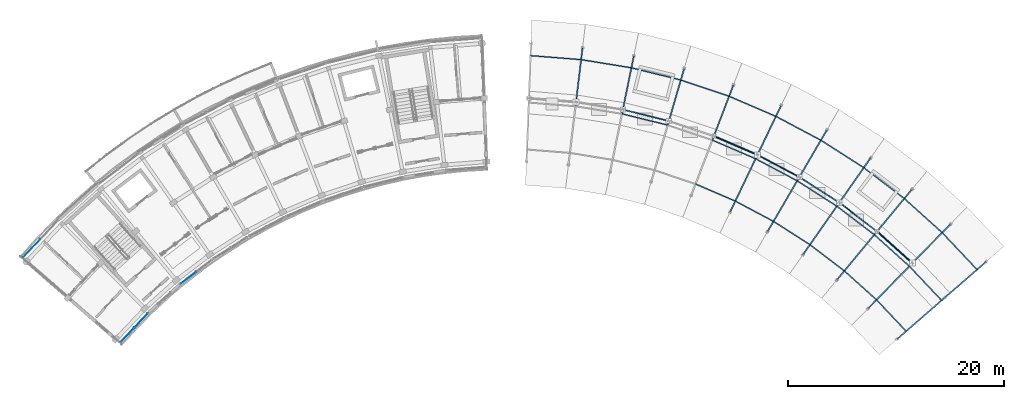
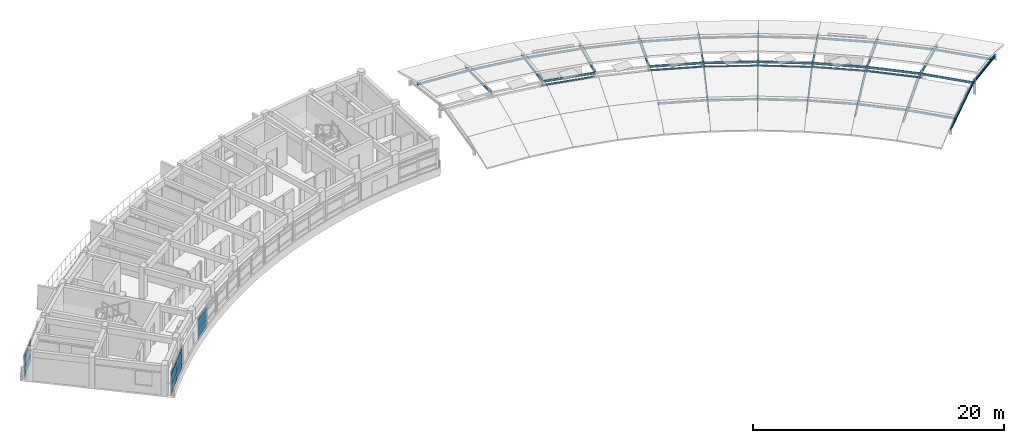
# One storey, part 11 of 20: 39 beams, 12 plates, 6 members, 3 elements without a shape of their own.
"""IFC4 building model written with IfcOpenShell, lengths in metres."""

from ifc_helpers import new_model, si_unit, direction, frame, origin, origin_2d, place, context, subcontext, project, spatial, rectangle, hollow_rectangle, hollow_circle, i_section, extrude, material, layer, layer_set, material_profile, profile_set, type_object, element, aggregate, save


model = new_model("IFC4")

# Units and contexts
model_context = context("Model", 3, precision=1e-05, world=origin(), true_north=direction((0.0, 1.0)))
body_context = subcontext(model_context, "Body", "Model", "MODEL_VIEW")
ifc_project = project(units=[si_unit("LENGTHUNIT", "METRE"), si_unit("AREAUNIT", "SQUARE_METRE"), si_unit("VOLUMEUNIT", "CUBIC_METRE"), si_unit("PLANEANGLEUNIT", "RADIAN"), si_unit("MASSUNIT", "GRAM", prefix="KILO")], contexts=[model_context])

# Site, building, storey
site_placement = place(None, origin())
site = spatial("IfcSite", under=ifc_project, at=site_placement, CompositionType="ELEMENT")
building_placement = place(site_placement, origin())
building = spatial("IfcBuilding", under=site, at=building_placement, Name="Zimvara Arc Housing Community", CompositionType="ELEMENT")
storey_placement = place(building_placement, frame((0.0, 0.0, 39.10009765625)))
storey = spatial("IfcBuildingStorey", under=building, at=storey_placement, Name="L12", CompositionType="ELEMENT", Elevation=39.10009765625)

# Beams
ifc_material_1 = material(Name="Steel S355", Category="steel")
ifc_material_profile_1 = material_profile(ifc_material_1, i_section(OverallWidth=0.10009765625, OverallDepth=0.199951171875, WebThickness=0.005615234375, FlangeThickness=0.008544921875, FilletRadius=0.011962890625, at=origin_2d()), Name="IPE 200")
ifc_profile_set_1 = profile_set([ifc_material_profile_1], Name="Steel S355")
beam_type_1 = type_object("IfcBeamType", Name="BM-ST-IPE200", PredefinedType="JOIST", material=ifc_profile_set_1)
beam_1_placement = place(storey_placement, frame((47.216796875, 102.20751953125, 0.824951171875), z_axis=(0.996862345844, -0.079154680453, 0.0), x_axis=(0.079154680453, 0.996862345844, 0.0)))
element("IfcBeam", 1, at=beam_1_placement, inside=storey, type_object=beam_type_1, Name="bm:blkB:L12:p_out:b0", PredefinedType="JOIST", context=body_context, shape_type="SweptSolid", body=[
    extrude(i_section(OverallWidth=0.10009765625, OverallDepth=0.199951171875, WebThickness=0.005615234375, FlangeThickness=0.008544921875, FilletRadius=0.011962890625, at=origin_2d()), origin(), (0.0, 0.0, 1.0), 4.716064453125),
])
beam_2_placement = place(storey_placement, frame((51.91796875, 101.834228515625, 0.824951171875), z_axis=(0.987079154812, -0.160233398938, 0.0), x_axis=(0.160233398938, 0.987079154812, 0.0)))
element("IfcBeam", 2, at=beam_2_placement, inside=storey, type_object=beam_type_1, Name="bm:blkB:L12:p_out:b1", PredefinedType="JOIST", context=body_context, shape_type="SweptSolid", body=[
    extrude(i_section(OverallWidth=0.10009765625, OverallDepth=0.199951171875, WebThickness=0.005615234375, FlangeThickness=0.008544921875, FilletRadius=0.011962890625, at=origin_2d()), origin(), (0.0, 0.0, 1.0), 4.7158203125),
])
beam_3_placement = place(storey_placement, frame((55.700927734375, 96.81689453125, 1.414794921875), z_axis=(0.970712841658, -0.240242750234, 0.0), x_axis=(0.240242750234, 0.970712841658, 0.0)))
element("IfcBeam", 3, at=beam_3_placement, inside=storey, type_object=beam_type_1, Name="bm:blkB:L12:p_crb:b2", PredefinedType="JOIST", context=body_context, shape_type="SweptSolid", body=[
    extrude(i_section(OverallWidth=0.10009765625, OverallDepth=0.199951171875, WebThickness=0.005615234375, FlangeThickness=0.008544921875, FilletRadius=0.011962890625, at=origin_2d()), origin(), (0.0, 0.0, 1.0), 4.360595703125),
])
for number, where, z_axis, x_axis, name in (
    (4, (56.57275390625, 101.07861328125, 0.824951171875), (0.970718363539, -0.240220437697, 0.0), (0.240220437697, 0.970718363539, 0.0), "bm:blkB:L12:p_out:b2"),
    (5, (61.150390625, 99.94580078125, 0.824951171875), (0.947872578778, -0.318649610704, 0.0), (0.318649610704, 0.947872578778, 0.0), "bm:blkB:L12:p_out:b3"),
):
    element("IfcBeam", number, at=place(storey_placement, frame(where, z_axis=z_axis, x_axis=x_axis)), inside=storey, type_object=beam_type_1, Name=name, PredefinedType="JOIST", context=body_context, shape_type="SweptSolid", body=[
        extrude(i_section(OverallWidth=0.10009765625, OverallDepth=0.199951171875, WebThickness=0.005615234375, FlangeThickness=0.008544921875, FilletRadius=0.011962890625, at=origin_2d()), origin(), (0.0, 0.0, 1.0), 4.7158203125),
    ])
beam_4_placement = place(storey_placement, frame((62.513916015625, 90.316650390625, 0.824951171875), z_axis=(0.918722044458, -0.394904805019, 0.0), x_axis=(0.394904805019, 0.918722044458, 0.0)))
element("IfcBeam", 6, at=beam_4_placement, inside=storey, type_object=beam_type_1, Name="bm:blkB:L12:p_in:b4", PredefinedType="JOIST", context=body_context, shape_type="SweptSolid", body=[
    extrude(i_section(OverallWidth=0.10009765625, OverallDepth=0.199951171875, WebThickness=0.005615234375, FlangeThickness=0.008544921875, FilletRadius=0.011962890625, at=origin_2d()), origin(), (0.0, 0.0, 1.0), 4.00537109375),
])
beam_5_placement = place(storey_placement, frame((64.067138671875, 94.3798828125, 1.414794921875), z_axis=(0.918736221904, -0.39487182042, 0.0), x_axis=(0.39487182042, 0.918736221904, 0.0)))
element("IfcBeam", 7, at=beam_5_placement, inside=storey, type_object=beam_type_1, Name="bm:blkB:L12:p_crb:b4", PredefinedType="JOIST", context=body_context, shape_type="SweptSolid", body=[
    extrude(i_section(OverallWidth=0.10009765625, OverallDepth=0.199951171875, WebThickness=0.005615234375, FlangeThickness=0.008544921875, FilletRadius=0.011962890625, at=origin_2d()), origin(), (0.0, 0.0, 1.0), 4.360595703125),
])
beam_6_placement = place(storey_placement, frame((65.620361328125, 98.443115234375, 0.824951171875), z_axis=(0.918721408935, -0.394906283521, 0.0), x_axis=(0.394906283521, 0.918721408935, 0.0)))
element("IfcBeam", 8, at=beam_6_placement, inside=storey, type_object=beam_type_1, Name="bm:blkB:L12:p_out:b4", PredefinedType="JOIST", context=body_context, shape_type="SweptSolid", body=[
    extrude(i_section(OverallWidth=0.10009765625, OverallDepth=0.199951171875, WebThickness=0.005615234375, FlangeThickness=0.008544921875, FilletRadius=0.011962890625, at=origin_2d()), origin(), (0.0, 0.0, 1.0), 4.7158203125),
])
beam_7_placement = place(storey_placement, frame((66.19384765625, 88.73486328125, 0.824951171875), z_axis=(0.883428842422, -0.468565342697, 0.0), x_axis=(0.468565342697, 0.883428842422, 0.0)))
element("IfcBeam", 9, at=beam_7_placement, inside=storey, type_object=beam_type_1, Name="bm:blkB:L12:p_in:b5", PredefinedType="JOIST", context=body_context, shape_type="SweptSolid", body=[
    extrude(i_section(OverallWidth=0.10009765625, OverallDepth=0.199951171875, WebThickness=0.005615234375, FlangeThickness=0.008544921875, FilletRadius=0.011962890625, at=origin_2d()), origin(), (0.0, 0.0, 1.0), 4.005126953125),
])
beam_8_placement = place(storey_placement, frame((68.073486328125, 92.657958984375, 1.414794921875), z_axis=(0.883430850888, -0.468561555934, 0.0), x_axis=(0.468561555934, 0.883430850888, 0.0)))
element("IfcBeam", 10, at=beam_8_placement, inside=storey, type_object=beam_type_1, Name="bm:blkB:L12:p_crb:b5", PredefinedType="JOIST", context=body_context, shape_type="SweptSolid", body=[
    extrude(i_section(OverallWidth=0.10009765625, OverallDepth=0.199951171875, WebThickness=0.005615234375, FlangeThickness=0.008544921875, FilletRadius=0.011962890625, at=origin_2d()), origin(), (0.0, 0.0, 1.0), 4.360595703125),
])
beam_9_placement = place(storey_placement, frame((69.952880859375, 96.580810546875, 0.824951171875), z_axis=(0.883453985345, -0.468517935386, 0.0), x_axis=(0.468517935386, 0.883453985345, 0.0)))
element("IfcBeam", 11, at=beam_9_placement, inside=storey, type_object=beam_type_1, Name="bm:blkB:L12:p_out:b5", PredefinedType="JOIST", context=body_context, shape_type="SweptSolid", body=[
    extrude(i_section(OverallWidth=0.10009765625, OverallDepth=0.199951171875, WebThickness=0.005615234375, FlangeThickness=0.008544921875, FilletRadius=0.011962890625, at=origin_2d()), origin(), (0.0, 0.0, 1.0), 4.7158203125),
])
beam_10_placement = place(storey_placement, frame((69.732177734375, 86.858154296875, 0.824951171875), z_axis=(0.84227582837, -0.539046778067, 0.0), x_axis=(0.539046778067, 0.84227582837, 0.0)))
element("IfcBeam", 12, at=beam_10_placement, inside=storey, type_object=beam_type_1, Name="bm:blkB:L12:p_in:b6", PredefinedType="JOIST", context=body_context, shape_type="SweptSolid", body=[
    extrude(i_section(OverallWidth=0.10009765625, OverallDepth=0.199951171875, WebThickness=0.005615234375, FlangeThickness=0.008544921875, FilletRadius=0.011962890625, at=origin_2d()), origin(), (0.0, 0.0, 1.0), 4.005615234375),
])
beam_11_placement = place(storey_placement, frame((71.92578125, 90.61474609375, 1.414794921875), z_axis=(0.842259198288, -0.539072762156, 0.0), x_axis=(0.539072762156, 0.842259198288, 0.0)))
element("IfcBeam", 13, at=beam_11_placement, inside=storey, type_object=beam_type_1, Name="bm:blkB:L12:p_crb:b6", PredefinedType="JOIST", context=body_context, shape_type="SweptSolid", body=[
    extrude(i_section(OverallWidth=0.10009765625, OverallDepth=0.199951171875, WebThickness=0.005615234375, FlangeThickness=0.008544921875, FilletRadius=0.011962890625, at=origin_2d()), origin(), (0.0, 0.0, 1.0), 4.3603515625),
])
beam_12_placement = place(storey_placement, frame((74.119140625, 94.371337890625, 0.824951171875), z_axis=(0.842251655676, -0.539084546718, 0.0), x_axis=(0.539084546718, 0.842251655676, 0.0)))
element("IfcBeam", 14, at=beam_12_placement, inside=storey, type_object=beam_type_1, Name="bm:blkB:L12:p_out:b6", PredefinedType="JOIST", context=body_context, shape_type="SweptSolid", body=[
    extrude(i_section(OverallWidth=0.10009765625, OverallDepth=0.199951171875, WebThickness=0.005615234375, FlangeThickness=0.008544921875, FilletRadius=0.011962890625, at=origin_2d()), origin(), (0.0, 0.0, 1.0), 4.7158203125),
])
beam_13_placement = place(storey_placement, frame((73.10595703125, 84.698974609375, 0.824951171875), z_axis=(0.795456905732, -0.606010157608, 0.0), x_axis=(0.606010157608, 0.795456905732, 0.0)))
element("IfcBeam", 15, at=beam_13_placement, inside=storey, type_object=beam_type_1, Name="bm:blkB:L12:p_in:b7", PredefinedType="JOIST", context=body_context, shape_type="SweptSolid", body=[
    extrude(i_section(OverallWidth=0.10009765625, OverallDepth=0.199951171875, WebThickness=0.005615234375, FlangeThickness=0.008544921875, FilletRadius=0.011962890625, at=origin_2d()), origin(), (0.0, 0.0, 1.0), 4.00537109375),
])
beam_14_placement = place(storey_placement, frame((75.598388671875, 88.26416015625, 1.414794921875), z_axis=(0.795462564036, -0.606002730372, 0.0), x_axis=(0.606002730372, 0.795462564036, 0.0)))
element("IfcBeam", 16, at=beam_14_placement, inside=storey, type_object=beam_type_1, Name="bm:blkB:L12:p_crb:b7", PredefinedType="JOIST", context=body_context, shape_type="SweptSolid", body=[
    extrude(i_section(OverallWidth=0.10009765625, OverallDepth=0.199951171875, WebThickness=0.005615234375, FlangeThickness=0.008544921875, FilletRadius=0.011962890625, at=origin_2d()), origin(), (0.0, 0.0, 1.0), 4.360595703125),
])
beam_15_placement = place(storey_placement, frame((78.091064453125, 91.8291015625, 0.824951171875), z_axis=(0.795473313846, -0.605988619497, 0.0), x_axis=(0.605988619497, 0.795473313846, 0.0)))
element("IfcBeam", 17, at=beam_15_placement, inside=storey, type_object=beam_type_1, Name="bm:blkB:L12:p_out:b7", PredefinedType="JOIST", context=body_context, shape_type="SweptSolid", body=[
    extrude(i_section(OverallWidth=0.10009765625, OverallDepth=0.199951171875, WebThickness=0.005615234375, FlangeThickness=0.008544921875, FilletRadius=0.011962890625, at=origin_2d()), origin(), (0.0, 0.0, 1.0), 4.7158203125),
])
beam_16_placement = place(storey_placement, frame((76.2919921875, 82.271728515625, 0.824951171875), z_axis=(0.743397187037, -0.66885022412, 0.0), x_axis=(0.66885022412, 0.743397187037, 0.0)))
element("IfcBeam", 18, at=beam_16_placement, inside=storey, type_object=beam_type_1, Name="bm:blkB:L12:p_in:b8", PredefinedType="JOIST", context=body_context, shape_type="SweptSolid", body=[
    extrude(i_section(OverallWidth=0.10009765625, OverallDepth=0.199951171875, WebThickness=0.005615234375, FlangeThickness=0.008544921875, FilletRadius=0.011962890625, at=origin_2d()), origin(), (0.0, 0.0, 1.0), 4.00537109375),
])
beam_17_placement = place(storey_placement, frame((79.067138671875, 85.62158203125, 1.414794921875), z_axis=(0.74338601317, -0.668862643167, 0.0), x_axis=(0.668862643167, 0.74338601317, 0.0)))
element("IfcBeam", 19, at=beam_17_placement, inside=storey, type_object=beam_type_1, Name="bm:blkB:L12:p_crb:b8", PredefinedType="JOIST", context=body_context, shape_type="SweptSolid", body=[
    extrude(i_section(OverallWidth=0.10009765625, OverallDepth=0.199951171875, WebThickness=0.005615234375, FlangeThickness=0.008544921875, FilletRadius=0.011962890625, at=origin_2d()), origin(), (0.0, 0.0, 1.0), 4.3603515625),
])
beam_18_placement = place(storey_placement, frame((81.84228515625, 88.971435546875, 0.824951171875), z_axis=(0.743373942038, -0.668876058997, 0.0), x_axis=(0.668876058997, 0.743373942038, 0.0)))
element("IfcBeam", 20, at=beam_18_placement, inside=storey, type_object=beam_type_1, Name="bm:blkB:L12:p_out:b8", PredefinedType="JOIST", context=body_context, shape_type="SweptSolid", body=[
    extrude(i_section(OverallWidth=0.10009765625, OverallDepth=0.199951171875, WebThickness=0.005615234375, FlangeThickness=0.008544921875, FilletRadius=0.011962890625, at=origin_2d()), origin(), (0.0, 0.0, 1.0), 4.7158203125),
])
beam_19_placement = place(storey_placement, frame((79.26953125, 79.5927734375, 0.824951171875), z_axis=(0.68632994839, -0.727290314759, 0.0), x_axis=(0.727290314759, 0.68632994839, 0.0)))
element("IfcBeam", 21, at=beam_19_placement, inside=storey, type_object=beam_type_1, Name="bm:blkB:L12:p_in:b9", PredefinedType="JOIST", context=body_context, shape_type="SweptSolid", body=[
    extrude(i_section(OverallWidth=0.10009765625, OverallDepth=0.199951171875, WebThickness=0.005615234375, FlangeThickness=0.008544921875, FilletRadius=0.011962890625, at=origin_2d()), origin(), (0.0, 0.0, 1.0), 4.00537109375),
])
beam_20_placement = place(storey_placement, frame((82.30859375, 82.705078125, 1.414794921875), z_axis=(0.686319345902, -0.727300319978, 0.0), x_axis=(0.727300319978, 0.686319345902, 0.0)))
element("IfcBeam", 22, at=beam_20_placement, inside=storey, type_object=beam_type_1, Name="bm:blkB:L12:p_crb:b9", PredefinedType="JOIST", context=body_context, shape_type="SweptSolid", body=[
    extrude(i_section(OverallWidth=0.10009765625, OverallDepth=0.199951171875, WebThickness=0.005615234375, FlangeThickness=0.008544921875, FilletRadius=0.011962890625, at=origin_2d()), origin(), (0.0, 0.0, 1.0), 4.36083984375),
])
beam_21_placement = place(storey_placement, frame((85.347900390625, 85.817138671875, 0.824951171875), z_axis=(0.686334639467, -0.727285887851, 0.0), x_axis=(0.727285887851, 0.686334639467, 0.0)))
element("IfcBeam", 23, at=beam_21_placement, inside=storey, type_object=beam_type_1, Name="bm:blkB:L12:p_out:b9", PredefinedType="JOIST", context=body_context, shape_type="SweptSolid", body=[
    extrude(i_section(OverallWidth=0.10009765625, OverallDepth=0.199951171875, WebThickness=0.005615234375, FlangeThickness=0.008544921875, FilletRadius=0.011962890625, at=origin_2d()), origin(), (0.0, 0.0, 1.0), 4.7158203125),
])
ifc_material_2 = material(Name="Steel S355", Category="steel")
ifc_material_profile_2 = material_profile(ifc_material_2, i_section(OverallWidth=0.1201171875, OverallDepth=0.239990234375, WebThickness=0.006103515625, FlangeThickness=0.009765625, FilletRadius=0.014892578125, at=origin_2d()), Name="IPE 240")
ifc_profile_set_2 = profile_set([ifc_material_profile_2], Name="Steel S355")
beam_type_2 = type_object("IfcBeamType", Name="BM-ST-IPE240", PredefinedType="JOIST", material=ifc_profile_set_2)
beam_22_placement = place(storey_placement, frame((51.396728515625, 97.515380859375, 1.39501953125), z_axis=(0.118097235357, 0.978726995138, -0.167769222411), x_axis=(-0.992798627952, 0.119795176601, 0.0)))
element("IfcBeam", 24, at=beam_22_placement, inside=storey, type_object=beam_type_2, Name="bm:blkB:L12:rf_out:g1", PredefinedType="JOIST", context=body_context, shape_type="SweptSolid", body=[
    extrude(i_section(OverallWidth=0.1201171875, OverallDepth=0.239990234375, WebThickness=0.006103515625, FlangeThickness=0.009765625, FilletRadius=0.014892578125, at=origin_2d()), origin(), (0.0, 0.0, 1.0), 5.558837890625),
])
beam_23_placement = place(storey_placement, frame((55.700927734375, 96.81689453125, 1.39501953125), z_axis=(0.19759967186, 0.965818356126, -0.167777449768), x_axis=(-0.979705786659, 0.200440942891, 0.0)))
element("IfcBeam", 25, at=beam_23_placement, inside=storey, type_object=beam_type_2, Name="bm:blkB:L12:rf_out:g2", PredefinedType="JOIST", context=body_context, shape_type="SweptSolid", body=[
    extrude(i_section(OverallWidth=0.1201171875, OverallDepth=0.239990234375, WebThickness=0.006103515625, FlangeThickness=0.009765625, FilletRadius=0.014892578125, at=origin_2d()), origin(), (0.0, 0.0, 1.0), 5.55859375),
])
for number, where, z_axis, x_axis, name in (
    (26, (59.933837890625, 95.769287109375, 1.39501953125), (0.275730867279, 0.946479800871, -0.167775073751), (-0.960088769937, 0.279695466249, 0.0), "bm:blkB:L12:rf_out:g3"),
    (27, (64.067138671875, 94.3798828125, 1.39501953125), (0.352021029512, 0.920832552059, -0.1677754626), (-0.93407281461, 0.357082591295, 0.0), "bm:blkB:L12:rf_out:g4"),
    (28, (65.70556640625, 87.7158203125, 0.46240234375), (0.425967877303, 0.889047091478, 0.167769593906), (-0.901829410646, 0.432092251833, 0.0), "bm:blkB:L12:rf_in:g5"),
):
    element("IfcBeam", number, at=place(storey_placement, frame(where, z_axis=z_axis, x_axis=x_axis)), inside=storey, type_object=beam_type_2, Name=name, PredefinedType="JOIST", context=body_context, shape_type="SweptSolid", body=[
        extrude(i_section(OverallWidth=0.1201171875, OverallDepth=0.239990234375, WebThickness=0.006103515625, FlangeThickness=0.009765625, FilletRadius=0.014892578125, at=origin_2d()), origin(), (0.0, 0.0, 1.0), 5.558837890625),
    ])
beam_24_placement = place(storey_placement, frame((68.073486328125, 92.657958984375, 1.39501953125), z_axis=(0.425948558599, 0.889054518784, -0.167779283754), x_axis=(-0.901838453327, 0.432073378143, 0.0)))
element("IfcBeam", 29, at=beam_24_placement, inside=storey, type_object=beam_type_2, Name="bm:blkB:L12:rf_out:g5", PredefinedType="JOIST", context=body_context, shape_type="SweptSolid", body=[
    extrude(i_section(OverallWidth=0.1201171875, OverallDepth=0.239990234375, WebThickness=0.006103515625, FlangeThickness=0.009765625, FilletRadius=0.014892578125, at=origin_2d()), origin(), (0.0, 0.0, 1.0), 5.55859375),
])
for number, where, z_axis, x_axis, name in (
    (30, (69.16259765625, 85.88232421875, 0.46240234375), (0.497078586127, 0.851331623385, 0.167771708694), (-0.863572001787, 0.504225542521, 0.0), "bm:blkB:L12:rf_in:g6"),
    (31, (71.92578125, 90.61474609375, 1.39501953125), (0.49704551764, 0.851350208884, -0.167775371334), (-0.863591400548, 0.504192317375, 0.0), "bm:blkB:L12:rf_out:g6"),
    (32, (72.458251953125, 83.77294921875, 0.46240234375), (0.564886012161, 0.807933686807, 0.167770530746), (-0.819549926471, 0.573007781815, 0.0), "bm:blkB:L12:rf_in:g7"),
):
    element("IfcBeam", number, at=place(storey_placement, frame(where, z_axis=z_axis, x_axis=x_axis)), inside=storey, type_object=beam_type_2, Name=name, PredefinedType="JOIST", context=body_context, shape_type="SweptSolid", body=[
        extrude(i_section(OverallWidth=0.1201171875, OverallDepth=0.239990234375, WebThickness=0.006103515625, FlangeThickness=0.009765625, FilletRadius=0.014892578125, at=origin_2d()), origin(), (0.0, 0.0, 1.0), 5.558837890625),
    ])
beam_25_placement = place(storey_placement, frame((75.598388671875, 88.26416015625, 1.39501953125), z_axis=(0.564906056889, 0.807918435428, -0.167776484008), x_axis=(-0.819535298071, 0.573028703658, 0.0)))
element("IfcBeam", 33, at=beam_25_placement, inside=storey, type_object=beam_type_2, Name="bm:blkB:L12:rf_out:g7", PredefinedType="JOIST", context=body_context, shape_type="SweptSolid", body=[
    extrude(i_section(OverallWidth=0.1201171875, OverallDepth=0.239990234375, WebThickness=0.006103515625, FlangeThickness=0.009765625, FilletRadius=0.014892578125, at=origin_2d()), origin(), (0.0, 0.0, 1.0), 5.55859375),
])
for number, where, z_axis, x_axis, name in (
    (34, (75.571044921875, 81.401611328125, 0.46240234375), (0.628926103541, 0.759147185734, 0.167772186839), (-0.770062207182, 0.637968805719, 0.0), "bm:blkB:L12:rf_in:g8"),
    (35, (79.067138671875, 85.62158203125, 1.39501953125), (0.628926103541, 0.759147185734, -0.167772186839), (-0.770062207182, 0.637968805719, 0.0), "bm:blkB:L12:rf_out:g8"),
    (36, (78.47998046875, 78.784423828125, 0.46240234375), (0.688755660517, 0.705313553898, 0.167774940899), (-0.715454895317, 0.698658924488, 0.0), "bm:blkB:L12:rf_in:g9"),
    (37, (82.30859375, 82.705078125, 1.39501953125), (0.688778744582, 0.705292218278, -0.167769865734), (-0.715432626107, 0.698681728329, 0.0), "bm:blkB:L12:rf_out:g9"),
    (38, (81.165771484375, 75.938232421875, 0.46240234375), (0.744005712527, 0.646766713262, 0.167774605776), (-0.656066201767, 0.754703344963, 0.0), "bm:blkB:L12:rf_in:g10"),
    (39, (85.301513671875, 79.533447265625, 1.39501953125), (0.744005712527, 0.646766713262, -0.167774605776), (-0.656066201767, 0.754703344963, 0.0), "bm:blkB:L12:rf_out:g10"),
):
    element("IfcBeam", number, at=place(storey_placement, frame(where, z_axis=z_axis, x_axis=x_axis)), inside=storey, type_object=beam_type_2, Name=name, PredefinedType="JOIST", context=body_context, shape_type="SweptSolid", body=[
        extrude(i_section(OverallWidth=0.1201171875, OverallDepth=0.239990234375, WebThickness=0.006103515625, FlangeThickness=0.009765625, FilletRadius=0.014892578125, at=origin_2d()), origin(), (0.0, 0.0, 1.0), 5.558837890625),
    ])

# Members
ifc_material_3 = material(Name="Steel S355", Category="steel")
ifc_material_profile_3 = material_profile(ifc_material_3, hollow_rectangle(XDim=0.1201171875, YDim=0.1201171875, WallThickness=0.00634765625, InnerFilletRadius=0.00634765625, OuterFilletRadius=0.0126953125, at=origin_2d()), Name="SHS 120x120x6.3")
ifc_profile_set_3 = profile_set([ifc_material_profile_3], Name="Steel S355")
member_type_1 = type_object("IfcMemberType", Name="MB-BRACE-SHS120", PredefinedType="BRACE", material=ifc_profile_set_3)
for number, where, z_axis, x_axis, name in (
    (40, (55.78125, 97.208740234375, 0.77001953125), (0.970715094474, -0.240233647436, 0.0), (0.240233647436, 0.970715094474, 0.0), "mb:blkB:L12:brace:b2"),
    (41, (72.12744140625, 90.960205078125, 0.77001953125), (0.842242131326, -0.539099427025, 0.0), (0.539099427025, 0.842242131326, 0.0), "mb:blkB:L12:brace:b6"),
):
    element("IfcMember", number, at=place(storey_placement, frame(where, z_axis=z_axis, x_axis=x_axis)), inside=storey, type_object=member_type_1, Name=name, PredefinedType="BRACE", context=body_context, shape_type="SweptSolid", body=[
        extrude(hollow_rectangle(XDim=0.1201171875, YDim=0.1201171875, WallThickness=0.00634765625, InnerFilletRadius=0.00634765625, OuterFilletRadius=0.0126953125, at=origin_2d()), origin(), (0.0, 0.0, 1.0), 4.393310546875),
    ])
ifc_material_4 = material(Name="Steel S355", Category="steel")
ifc_material_profile_4 = material_profile(ifc_material_4, hollow_rectangle(XDim=0.080078125, YDim=0.159912109375, WallThickness=0.00634765625, InnerFilletRadius=0.00634765625, OuterFilletRadius=0.0126953125, at=origin_2d()), Name="RHS 160x80x6.3")
ifc_profile_set_4 = profile_set([ifc_material_profile_4], Name="Steel S355")
member_type_2 = type_object("IfcMemberType", Name="MB-PURLIN-RHS160", PredefinedType="PURLIN", material=ifc_profile_set_4)
member_1_placement = place(storey_placement, frame((75.82763671875, 88.591796875, 0.77001953125), z_axis=(0.7954827462, -0.605976237569, 0.0), x_axis=(0.605976237569, 0.7954827462, 0.0)))
element("IfcMember", 42, at=member_1_placement, inside=storey, type_object=member_type_2, Name="mb:blkB:L12:brace:b7", PredefinedType="PURLIN", context=body_context, shape_type="SweptSolid", body=[
    extrude(hollow_rectangle(XDim=0.080078125, YDim=0.159912109375, WallThickness=0.00634765625, InnerFilletRadius=0.00634765625, OuterFilletRadius=0.0126953125, at=origin_2d()), origin(), (0.0, 0.0, 1.0), 4.39306640625),
])
ifc_material_5 = material(Name="Steel S355", Category="steel")
ifc_material_profile_5 = material_profile(ifc_material_5, hollow_circle(Radius=0.06982421875, WallThickness=0.00634765625, at=origin_2d()), Name="CHS 139.7x6.3")
ifc_profile_set_5 = profile_set([ifc_material_profile_5], Name="Steel S355")
member_type_3 = type_object("IfcMemberType", Name="MB-STRUT-CHS140", PredefinedType="STRUT", material=ifc_profile_set_5)
member_2_placement = place(storey_placement, frame((68.24609375, 93.0185546875, 0.77001953125), z_axis=(0.883456526058, -0.468513144496, 0.0), x_axis=(0.468513144496, 0.883456526058, 0.0)))
element("IfcMember", 43, at=member_2_placement, inside=storey, type_object=member_type_3, Name="mb:blkB:L12:brace:b5", PredefinedType="STRUT", context=body_context, shape_type="SweptSolid", body=[
    extrude(hollow_circle(Radius=0.06982421875, WallThickness=0.00634765625, at=origin_2d()), origin(), (0.0, 0.0, 1.0), 4.393310546875),
])
ifc_material_6 = material(Name="Steel S355", Category="steel")
ifc_material_profile_6 = material_profile(ifc_material_6, hollow_circle(Radius=0.084228515625, WallThickness=0.008056640625, at=origin_2d()), Name="CHS 168.3x8.0")
ifc_profile_set_6 = profile_set([ifc_material_profile_6], Name="Steel S355")
member_type_4 = type_object("IfcMemberType", Name="MB-STRUT-CHS168", PredefinedType="STRUT", material=ifc_profile_set_6)
for number, where, z_axis, x_axis, name in (
    (44, (64.2099609375, 94.75341796875, 0.77001953125), (0.918724840088, -0.394898301093, 0.0), (0.394898301093, 0.918724840088, 0.0), "mb:blkB:L12:brace:b4"),
    (45, (79.322265625, 85.9296875, 0.77001953125), (0.743385326385, -0.668863406471, 0.0), (0.668863406471, 0.743385326385, 0.0), "mb:blkB:L12:brace:b8"),
):
    element("IfcMember", number, at=place(storey_placement, frame(where, z_axis=z_axis, x_axis=x_axis)), inside=storey, type_object=member_type_4, Name=name, PredefinedType="STRUT", context=body_context, shape_type="SweptSolid", body=[
        extrude(hollow_circle(Radius=0.084228515625, WallThickness=0.008056640625, at=origin_2d()), origin(), (0.0, 0.0, 1.0), 4.393310546875),
    ])

# Curtain wall, plates
ifc_material_7 = material(Name="Anodised Aluminium AW-6063", Category="aluminium")
curtain_wall_type_1 = type_object("IfcCurtainWallType", Name="CW-SYS-04", PredefinedType="USERDEFINED", material=ifc_material_7)
curtain_wall_1_placement = place(storey_placement, origin())
curtain_wall_1 = element("IfcCurtainWall", 46, at=curtain_wall_1_placement, inside=storey, type_object=curtain_wall_type_1, Name="cw:blkA:L12:in:b0", ObjectType="CURTAIN WALL", PredefinedType="USERDEFINED")
ifc_material_8 = material(Name="Pale-Gold Anodised Aluminium Spandrel Panel", Category="aluminium")
ifc_layer_1 = layer(ifc_material_8, 0.035888671875)
ifc_layer_set_1 = layer_set([ifc_layer_1], Name="Pale-Gold Anodised Aluminium Spandrel Panel")
plate_type_1 = type_object("IfcPlateType", Name="CWP-GLD-36", PredefinedType="CURTAIN_PANEL", material=ifc_layer_set_1)
plate_1_placement = place(storey_placement, frame((9.90771484375, 76.34814453125, 0.06494140625), z_axis=(0.0, 0.0, 1.0), x_axis=(0.686326336018, 0.727293723669, 0.0)))
plate_1 = element("IfcPlate", 47, at=plate_1_placement, type_object=plate_type_1, Name="CW04 panel 1.1", PredefinedType="CURTAIN_PANEL", context=body_context, shape_type="SweptSolid", body=[
    extrude(rectangle(XDim=1.778564453125, YDim=0.035888671875, at=origin_2d()), origin(), (0.0, 0.0, 1.0), 0.75244140625),
])
plate_2_placement = place(storey_placement, frame((9.90771484375, 76.34814453125, 0.88232421875), z_axis=(0.0, 0.0, 1.0), x_axis=(0.686326336018, 0.727293723669, 0.0)))
plate_2 = element("IfcPlate", 48, at=plate_2_placement, type_object=plate_type_1, Name="CW04 panel 1.2", PredefinedType="CURTAIN_PANEL", context=body_context, shape_type="SweptSolid", body=[
    extrude(rectangle(XDim=1.778564453125, YDim=0.035888671875, at=origin_2d()), origin(), (0.0, 0.0, 1.0), 0.885009765625),
])
plate_3_placement = place(storey_placement, frame((9.90771484375, 76.34814453125, 1.832275390625), z_axis=(0.0, 0.0, 1.0), x_axis=(0.686326336018, 0.727293723669, 0.0)))
plate_3 = element("IfcPlate", 49, at=plate_3_placement, type_object=plate_type_1, Name="CW04 panel 1.3", PredefinedType="CURTAIN_PANEL", context=body_context, shape_type="SweptSolid", body=[
    extrude(rectangle(XDim=1.778564453125, YDim=0.035888671875, at=origin_2d()), origin(), (0.0, 0.0, 1.0), 0.3525390625),
])
plate_4_placement = place(storey_placement, frame((11.173095703125, 77.68896484375, 0.06494140625), z_axis=(0.0, 0.0, 1.0), x_axis=(0.686326336018, 0.727293723669, 0.0)))
plate_4 = element("IfcPlate", 50, at=plate_4_placement, type_object=plate_type_1, Name="CW04 panel 2.1", PredefinedType="CURTAIN_PANEL", context=body_context, shape_type="SweptSolid", body=[
    extrude(rectangle(XDim=1.778564453125, YDim=0.035888671875, at=origin_2d()), origin(), (0.0, 0.0, 1.0), 0.75244140625),
])
plate_5_placement = place(storey_placement, frame((11.173095703125, 77.68896484375, 0.88232421875), z_axis=(0.0, 0.0, 1.0), x_axis=(0.686326336018, 0.727293723669, 0.0)))
plate_5 = element("IfcPlate", 51, at=plate_5_placement, type_object=plate_type_1, Name="CW04 panel 2.2", PredefinedType="CURTAIN_PANEL", context=body_context, shape_type="SweptSolid", body=[
    extrude(rectangle(XDim=1.778564453125, YDim=0.035888671875, at=origin_2d()), origin(), (0.0, 0.0, 1.0), 0.885009765625),
])
plate_6_placement = place(storey_placement, frame((11.173095703125, 77.68896484375, 1.832275390625), z_axis=(0.0, 0.0, 1.0), x_axis=(0.686326336018, 0.727293723669, 0.0)))
plate_6 = element("IfcPlate", 52, at=plate_6_placement, type_object=plate_type_1, Name="CW04 panel 2.3", PredefinedType="CURTAIN_PANEL", context=body_context, shape_type="SweptSolid", body=[
    extrude(rectangle(XDim=1.778564453125, YDim=0.035888671875, at=origin_2d()), origin(), (0.0, 0.0, 1.0), 0.3525390625),
])
aggregate(curtain_wall_1, [plate_1, plate_2, plate_3, plate_4, plate_5, plate_6])

ifc_material_9 = material(Name="Anodised Aluminium AW-6063", Category="aluminium")
curtain_wall_type_2 = type_object("IfcCurtainWallType", Name="CW-SYS-06", PredefinedType="USERDEFINED", material=ifc_material_9)
curtain_wall_2_placement = place(storey_placement, origin())
curtain_wall_2 = element("IfcCurtainWall", 53, at=curtain_wall_2_placement, inside=storey, type_object=curtain_wall_type_2, Name="cw:blkA:L12:in:b2", ObjectType="CURTAIN WALL", PredefinedType="USERDEFINED")
ifc_material_10 = material(Name="Solar Control Low-E Double Glazing", Category="glass")
ifc_layer_2 = layer(ifc_material_10, 0.028076171875)
ifc_layer_set_2 = layer_set([ifc_layer_2], Name="Solar Control Low-E Double Glazing")
plate_type_2 = type_object("IfcPlateType", Name="CWP-GLZ-28", PredefinedType="CURTAIN_PANEL", material=ifc_layer_set_2)
plate_7_placement = place(storey_placement, frame((15.5546875, 81.63134765625, 0.06494140625), z_axis=(0.0, 0.0, 1.0), x_axis=(0.795473930895, 0.605987809503, 0.0)))
plate_7 = element("IfcPlate", 54, at=plate_7_placement, type_object=plate_type_2, Name="CW06 panel 1.1", PredefinedType="CURTAIN_PANEL", context=body_context, shape_type="SweptSolid", body=[
    extrude(rectangle(XDim=1.778564453125, YDim=0.028076171875, at=origin_2d()), origin(), (0.0, 0.0, 1.0), 0.75244140625),
])
plate_8_placement = place(storey_placement, frame((15.5546875, 81.63134765625, 0.88232421875), z_axis=(0.0, 0.0, 1.0), x_axis=(0.795473930895, 0.605987809503, 0.0)))
plate_8 = element("IfcPlate", 55, at=plate_8_placement, type_object=plate_type_2, Name="CW06 panel 1.2", PredefinedType="CURTAIN_PANEL", context=body_context, shape_type="SweptSolid", body=[
    extrude(rectangle(XDim=1.778564453125, YDim=0.028076171875, at=origin_2d()), origin(), (0.0, 0.0, 1.0), 0.885009765625),
])
plate_9_placement = place(storey_placement, frame((15.5546875, 81.63134765625, 1.832275390625), z_axis=(0.0, 0.0, 1.0), x_axis=(0.795473930895, 0.605987809503, 0.0)))
plate_9 = element("IfcPlate", 56, at=plate_9_placement, type_object=plate_type_2, Name="CW06 panel 1.3", PredefinedType="CURTAIN_PANEL", context=body_context, shape_type="SweptSolid", body=[
    extrude(rectangle(XDim=1.778564453125, YDim=0.028076171875, at=origin_2d()), origin(), (0.0, 0.0, 1.0), 0.3525390625),
])
aggregate(curtain_wall_2, [plate_7, plate_8, plate_9])

ifc_material_11 = material(Name="Anodised Aluminium AW-6063", Category="aluminium")
curtain_wall_type_3 = type_object("IfcCurtainWallType", Name="CW-SYS-03", PredefinedType="USERDEFINED", material=ifc_material_11)
curtain_wall_3_placement = place(storey_placement, origin())
curtain_wall_3 = element("IfcCurtainWall", 57, at=curtain_wall_3_placement, inside=storey, type_object=curtain_wall_type_3, Name="cw:blkA:L12:out:b0", ObjectType="CURTAIN WALL", PredefinedType="USERDEFINED")
ifc_material_12 = material(Name="Acoustic Laminated Solar Glazing", Category="glass")
ifc_layer_3 = layer(ifc_material_12, 0.031982421875)
ifc_layer_set_3 = layer_set([ifc_layer_3], Name="Acoustic Laminated Solar Glazing")
plate_type_3 = type_object("IfcPlateType", Name="CWP-GLZ-32", PredefinedType="CURTAIN_PANEL", material=ifc_layer_set_3)
plate_10_placement = place(storey_placement, frame((1.049072265625, 84.3720703125, 0.06494140625), z_axis=(0.0, 0.0, 1.0), x_axis=(0.686326416495, 0.727293647725, 0.0)))
plate_10 = element("IfcPlate", 58, at=plate_10_placement, type_object=plate_type_3, Name="CW03 panel 1.1", PredefinedType="CURTAIN_PANEL", context=body_context, shape_type="SweptSolid", body=[
    extrude(rectangle(XDim=2.266845703125, YDim=0.031982421875, at=origin_2d()), origin(), (0.0, 0.0, 1.0), 0.75244140625),
])
plate_11_placement = place(storey_placement, frame((1.049072265625, 84.3720703125, 0.88232421875), z_axis=(0.0, 0.0, 1.0), x_axis=(0.686326416495, 0.727293647725, 0.0)))
plate_11 = element("IfcPlate", 59, at=plate_11_placement, type_object=plate_type_3, Name="CW03 panel 1.2", PredefinedType="CURTAIN_PANEL", context=body_context, shape_type="SweptSolid", body=[
    extrude(rectangle(XDim=2.266845703125, YDim=0.031982421875, at=origin_2d()), origin(), (0.0, 0.0, 1.0), 0.885009765625),
])
plate_12_placement = place(storey_placement, frame((1.049072265625, 84.3720703125, 1.832275390625), z_axis=(0.0, 0.0, 1.0), x_axis=(0.686326416495, 0.727293647725, 0.0)))
plate_12 = element("IfcPlate", 60, at=plate_12_placement, type_object=plate_type_3, Name="CW03 panel 1.3", PredefinedType="CURTAIN_PANEL", context=body_context, shape_type="SweptSolid", body=[
    extrude(rectangle(XDim=2.266845703125, YDim=0.031982421875, at=origin_2d()), origin(), (0.0, 0.0, 1.0), 0.3525390625),
])
aggregate(curtain_wall_3, [plate_10, plate_11, plate_12])

save(model, "model.ifc")
